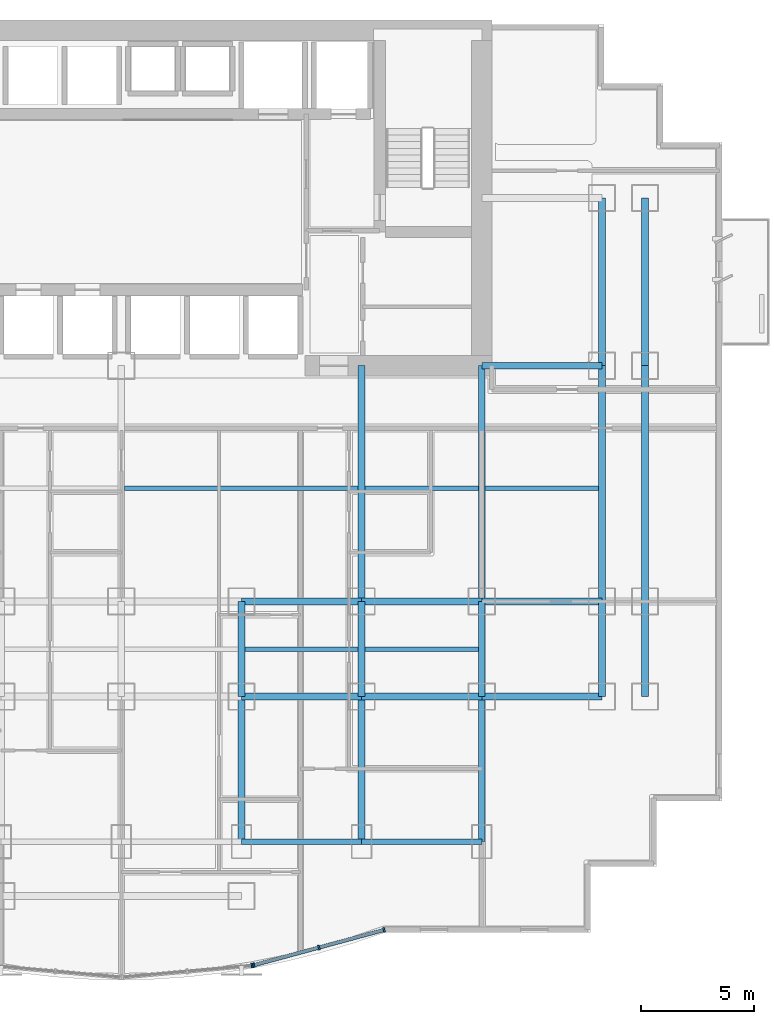
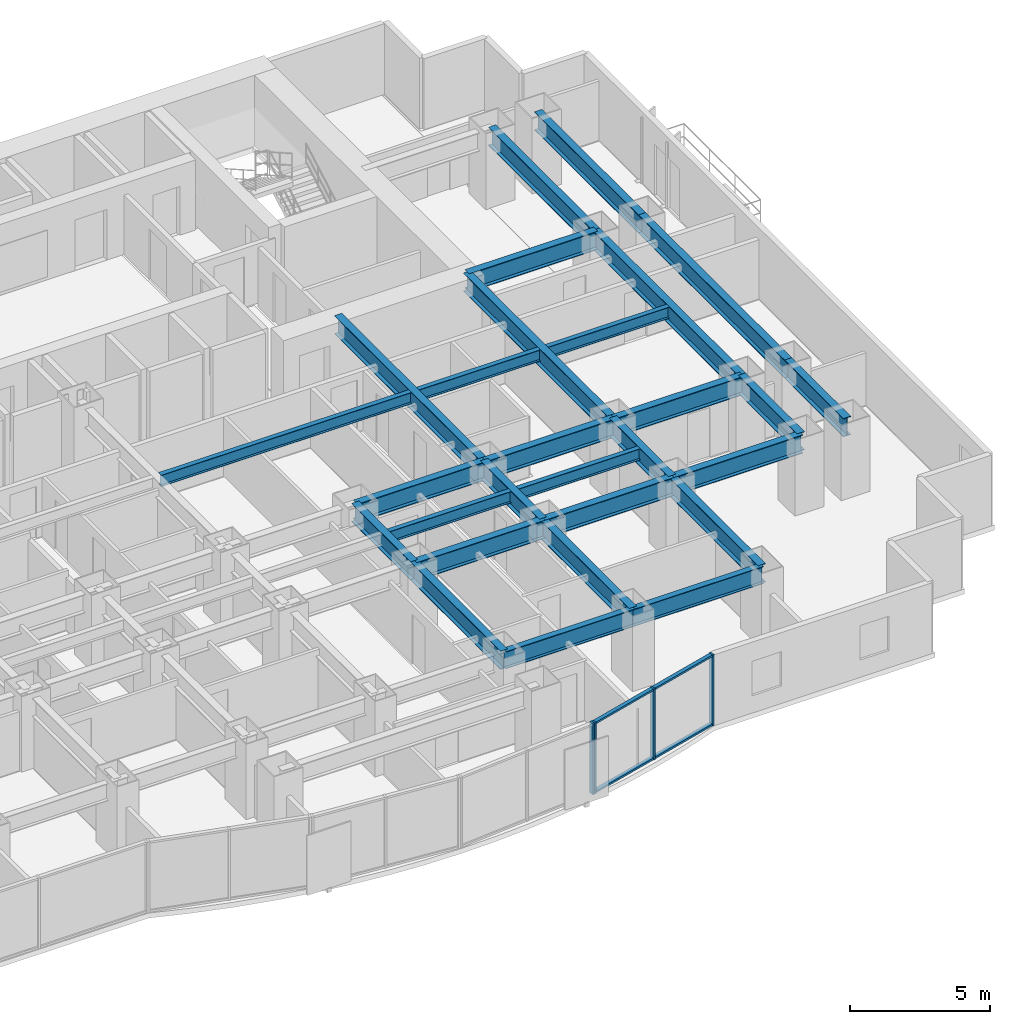
# One storey, part 3 of 10: 28 beams, 8 members, 2 elements without a shape of their own.
"""IFC4 building model written with IfcOpenShell, lengths in metres."""

from ifc_helpers import new_model, si_unit, direction, frame, origin, origin_2d, place, context, subcontext, project, spatial, rectangle, i_section, extrude, source, transform, mapped, material, layer, layer_set, material_profile, profile_set, type_object, element, aggregate, save


model = new_model("IFC4")

# Units and contexts
model_context = context("Model", 3, precision=1e-05, world=origin(), true_north=direction((0.0, 1.0)))
body_context = subcontext(model_context, "Body", "Model", "MODEL_VIEW")
ifc_project = project(units=[si_unit("LENGTHUNIT", "METRE"), si_unit("AREAUNIT", "SQUARE_METRE"), si_unit("VOLUMEUNIT", "CUBIC_METRE"), si_unit("PLANEANGLEUNIT", "RADIAN"), si_unit("MASSUNIT", "GRAM", prefix="KILO")], contexts=[model_context])

# Site, building, storey
site_placement = place(None, origin())
site = spatial("IfcSite", under=ifc_project, at=site_placement, CompositionType="ELEMENT")
building_placement = place(site_placement, origin())
building = spatial("IfcBuilding", under=site, at=building_placement, Name="Qianlan Lanfeng Residences", CompositionType="ELEMENT")
storey_placement = place(building_placement, frame((0.0, 0.0, 37.39990234375)))
storey = spatial("IfcBuildingStorey", under=building, at=storey_placement, Name="L09", CompositionType="ELEMENT", Elevation=37.39990234375)

# Beams
ifc_material_1 = material(Name="Steel SN490B", Category="steel")
ifc_material_profile_1 = material_profile(ifc_material_1, i_section(OverallWidth=0.300048828125, OverallDepth=0.800048828125, WebThickness=0.01611328125, FlangeThickness=0.028076171875, at=origin_2d()), Name="H 800x300x16x28")
ifc_profile_set_1 = profile_set([ifc_material_profile_1], Name="Steel SN490B")
beam_type_1 = type_object("IfcBeamType", Name="G-950", PredefinedType="BEAM", material=ifc_profile_set_1)
beam_1_placement = place(storey_placement, frame((31.800048828125, 10.60009765625, 2.68017578125), z_axis=(1.0, 0.0, 0.0), x_axis=(0.0, 1.0, 0.0)))
element("IfcBeam", 1, at=beam_1_placement, inside=storey, type_object=beam_type_1, Name="Structural beam G-950", PredefinedType="BEAM", context=body_context, shape_type="SweptSolid", body=[
    extrude(i_section(OverallWidth=0.300048828125, OverallDepth=0.800048828125, WebThickness=0.01611328125, FlangeThickness=0.028076171875, at=origin_2d()), origin(), (0.0, 0.0, 1.0), 5.300048828125),
])
beam_2_placement = place(storey_placement, frame((37.10009765625, 10.60009765625, 2.68017578125), z_axis=(1.0, 0.0, 0.0), x_axis=(0.0, 1.0, 0.0)))
element("IfcBeam", 2, at=beam_2_placement, inside=storey, type_object=beam_type_1, Name="Structural beam G-950", PredefinedType="BEAM", context=body_context, shape_type="SweptSolid", body=[
    extrude(i_section(OverallWidth=0.300048828125, OverallDepth=0.800048828125, WebThickness=0.01611328125, FlangeThickness=0.028076171875, at=origin_2d()), origin(), (0.0, 0.0, 1.0), 5.2998046875),
])
for number, where, z_axis, x_axis, name in (
    (3, (42.39990234375, 10.60009765625, 2.68017578125), (1.0, 0.0, 0.0), (0.0, 1.0, 0.0), "Structural beam G-950"),
    (4, (31.800048828125, 14.800048828125, 2.68017578125), (1.0, 0.0, 0.0), (0.0, 1.0, 0.0), "Structural beam G-950"),
):
    element("IfcBeam", number, at=place(storey_placement, frame(where, z_axis=z_axis, x_axis=x_axis)), inside=storey, type_object=beam_type_1, Name=name, PredefinedType="BEAM", context=body_context, shape_type="SweptSolid", body=[
        extrude(i_section(OverallWidth=0.300048828125, OverallDepth=0.800048828125, WebThickness=0.01611328125, FlangeThickness=0.028076171875, at=origin_2d()), origin(), (0.0, 0.0, 1.0), 5.300048828125),
    ])
beam_3_placement = place(storey_placement, frame((37.10009765625, 14.800048828125, 2.68017578125), z_axis=(1.0, 0.0, 0.0), x_axis=(0.0, 1.0, 0.0)))
element("IfcBeam", 5, at=beam_3_placement, inside=storey, type_object=beam_type_1, Name="Structural beam G-950", PredefinedType="BEAM", context=body_context, shape_type="SweptSolid", body=[
    extrude(i_section(OverallWidth=0.300048828125, OverallDepth=0.800048828125, WebThickness=0.01611328125, FlangeThickness=0.028076171875, at=origin_2d()), origin(), (0.0, 0.0, 1.0), 5.2998046875),
])
for number, where, z_axis, x_axis, name in (
    (6, (42.39990234375, 14.800048828125, 2.68017578125), (1.0, 0.0, 0.0), (0.0, 1.0, 0.0), "Structural beam G-950"),
    (7, (42.39990234375, 25.199951171875, 2.68017578125), (1.0, 0.0, 0.0), (0.0, 1.0, 0.0), "Structural beam G-950"),
):
    element("IfcBeam", number, at=place(storey_placement, frame(where, z_axis=z_axis, x_axis=x_axis)), inside=storey, type_object=beam_type_1, Name=name, PredefinedType="BEAM", context=body_context, shape_type="SweptSolid", body=[
        extrude(i_section(OverallWidth=0.300048828125, OverallDepth=0.800048828125, WebThickness=0.01611328125, FlangeThickness=0.028076171875, at=origin_2d()), origin(), (0.0, 0.0, 1.0), 5.300048828125),
    ])
beam_4_placement = place(storey_placement, frame((31.800048828125, 4.199951171875, 2.68017578125), z_axis=(0.0, 1.0, 0.0), x_axis=(-1.0, 0.0, 0.0)))
element("IfcBeam", 8, at=beam_4_placement, inside=storey, type_object=beam_type_1, Name="Structural beam G-950", PredefinedType="BEAM", context=body_context, shape_type="SweptSolid", body=[
    extrude(i_section(OverallWidth=0.300048828125, OverallDepth=0.800048828125, WebThickness=0.01611328125, FlangeThickness=0.028076171875, at=origin_2d()), origin(), (0.0, 0.0, 1.0), 6.400146484375),
])
beam_5_placement = place(storey_placement, frame((31.800048828125, 10.60009765625, 2.68017578125), z_axis=(0.0, 1.0, 0.0), x_axis=(-1.0, 0.0, 0.0)))
element("IfcBeam", 9, at=beam_5_placement, inside=storey, type_object=beam_type_1, Name="Structural beam G-950", PredefinedType="BEAM", context=body_context, shape_type="SweptSolid", body=[
    extrude(i_section(OverallWidth=0.300048828125, OverallDepth=0.800048828125, WebThickness=0.01611328125, FlangeThickness=0.028076171875, at=origin_2d()), origin(), (0.0, 0.0, 1.0), 4.199951171875),
])
beam_6_placement = place(storey_placement, frame((37.10009765625, 4.199951171875, 2.68017578125), z_axis=(0.0, 1.0, 0.0), x_axis=(-1.0, 0.0, 0.0)))
element("IfcBeam", 10, at=beam_6_placement, inside=storey, type_object=beam_type_1, Name="Structural beam G-950", PredefinedType="BEAM", context=body_context, shape_type="SweptSolid", body=[
    extrude(i_section(OverallWidth=0.300048828125, OverallDepth=0.800048828125, WebThickness=0.01611328125, FlangeThickness=0.028076171875, at=origin_2d()), origin(), (0.0, 0.0, 1.0), 6.400146484375),
])
beam_7_placement = place(storey_placement, frame((37.10009765625, 10.60009765625, 2.68017578125), z_axis=(0.0, 1.0, 0.0), x_axis=(-1.0, 0.0, 0.0)))
element("IfcBeam", 11, at=beam_7_placement, inside=storey, type_object=beam_type_1, Name="Structural beam G-950", PredefinedType="BEAM", context=body_context, shape_type="SweptSolid", body=[
    extrude(i_section(OverallWidth=0.300048828125, OverallDepth=0.800048828125, WebThickness=0.01611328125, FlangeThickness=0.028076171875, at=origin_2d()), origin(), (0.0, 0.0, 1.0), 4.199951171875),
])
beam_8_placement = place(storey_placement, frame((37.10009765625, 14.800048828125, 2.68017578125), z_axis=(0.0, 1.0, 0.0), x_axis=(-1.0, 0.0, 0.0)))
element("IfcBeam", 12, at=beam_8_placement, inside=storey, type_object=beam_type_1, Name="Structural beam G-950", PredefinedType="BEAM", context=body_context, shape_type="SweptSolid", body=[
    extrude(i_section(OverallWidth=0.300048828125, OverallDepth=0.800048828125, WebThickness=0.01611328125, FlangeThickness=0.028076171875, at=origin_2d()), origin(), (0.0, 0.0, 1.0), 10.39990234375),
])
beam_9_placement = place(storey_placement, frame((42.39990234375, 4.199951171875, 2.68017578125), z_axis=(0.0, 1.0, 0.0), x_axis=(-1.0, 0.0, 0.0)))
element("IfcBeam", 13, at=beam_9_placement, inside=storey, type_object=beam_type_1, Name="Structural beam G-950", PredefinedType="BEAM", context=body_context, shape_type="SweptSolid", body=[
    extrude(i_section(OverallWidth=0.300048828125, OverallDepth=0.800048828125, WebThickness=0.01611328125, FlangeThickness=0.028076171875, at=origin_2d()), origin(), (0.0, 0.0, 1.0), 6.400146484375),
])
beam_10_placement = place(storey_placement, frame((42.39990234375, 10.60009765625, 2.68017578125), z_axis=(0.0, 1.0, 0.0), x_axis=(-1.0, 0.0, 0.0)))
element("IfcBeam", 14, at=beam_10_placement, inside=storey, type_object=beam_type_1, Name="Structural beam G-950", PredefinedType="BEAM", context=body_context, shape_type="SweptSolid", body=[
    extrude(i_section(OverallWidth=0.300048828125, OverallDepth=0.800048828125, WebThickness=0.01611328125, FlangeThickness=0.028076171875, at=origin_2d()), origin(), (0.0, 0.0, 1.0), 4.199951171875),
])
beam_11_placement = place(storey_placement, frame((42.39990234375, 14.800048828125, 2.68017578125), z_axis=(0.0, 1.0, 0.0), x_axis=(-1.0, 0.0, 0.0)))
element("IfcBeam", 15, at=beam_11_placement, inside=storey, type_object=beam_type_1, Name="Structural beam G-950", PredefinedType="BEAM", context=body_context, shape_type="SweptSolid", body=[
    extrude(i_section(OverallWidth=0.300048828125, OverallDepth=0.800048828125, WebThickness=0.01611328125, FlangeThickness=0.028076171875, at=origin_2d()), origin(), (0.0, 0.0, 1.0), 10.39990234375),
])
beam_12_placement = place(storey_placement, frame((47.699951171875, 10.60009765625, 2.68017578125), z_axis=(0.0, 1.0, 0.0), x_axis=(-1.0, 0.0, 0.0)))
element("IfcBeam", 16, at=beam_12_placement, inside=storey, type_object=beam_type_1, Name="Structural beam G-950", PredefinedType="BEAM", context=body_context, shape_type="SweptSolid", body=[
    extrude(i_section(OverallWidth=0.300048828125, OverallDepth=0.800048828125, WebThickness=0.01611328125, FlangeThickness=0.028076171875, at=origin_2d()), origin(), (0.0, 0.0, 1.0), 4.199951171875),
])
beam_13_placement = place(storey_placement, frame((47.699951171875, 14.800048828125, 2.68017578125), z_axis=(0.0, 1.0, 0.0), x_axis=(-1.0, 0.0, 0.0)))
element("IfcBeam", 17, at=beam_13_placement, inside=storey, type_object=beam_type_1, Name="Structural beam G-950", PredefinedType="BEAM", context=body_context, shape_type="SweptSolid", body=[
    extrude(i_section(OverallWidth=0.300048828125, OverallDepth=0.800048828125, WebThickness=0.01611328125, FlangeThickness=0.028076171875, at=origin_2d()), origin(), (0.0, 0.0, 1.0), 10.39990234375),
])
beam_14_placement = place(storey_placement, frame((47.699951171875, 25.199951171875, 2.68017578125), z_axis=(0.0, 1.0, 0.0), x_axis=(-1.0, 0.0, 0.0)))
element("IfcBeam", 18, at=beam_14_placement, inside=storey, type_object=beam_type_1, Name="Structural beam G-950", PredefinedType="BEAM", context=body_context, shape_type="SweptSolid", body=[
    extrude(i_section(OverallWidth=0.300048828125, OverallDepth=0.800048828125, WebThickness=0.01611328125, FlangeThickness=0.028076171875, at=origin_2d()), origin(), (0.0, 0.0, 1.0), 7.400146484375),
])
beam_15_placement = place(storey_placement, frame((49.60009765625, 10.60009765625, 2.68017578125), z_axis=(0.0, 1.0, 0.0), x_axis=(-1.0, 0.0, 0.0)))
element("IfcBeam", 19, at=beam_15_placement, inside=storey, type_object=beam_type_1, Name="Structural beam G-950", PredefinedType="BEAM", context=body_context, shape_type="SweptSolid", body=[
    extrude(i_section(OverallWidth=0.300048828125, OverallDepth=0.800048828125, WebThickness=0.01611328125, FlangeThickness=0.028076171875, at=origin_2d()), origin(), (0.0, 0.0, 1.0), 4.199951171875),
])
beam_16_placement = place(storey_placement, frame((49.60009765625, 14.800048828125, 2.68017578125), z_axis=(0.0, 1.0, 0.0), x_axis=(-1.0, 0.0, 0.0)))
element("IfcBeam", 20, at=beam_16_placement, inside=storey, type_object=beam_type_1, Name="Structural beam G-950", PredefinedType="BEAM", context=body_context, shape_type="SweptSolid", body=[
    extrude(i_section(OverallWidth=0.300048828125, OverallDepth=0.800048828125, WebThickness=0.01611328125, FlangeThickness=0.028076171875, at=origin_2d()), origin(), (0.0, 0.0, 1.0), 10.39990234375),
])
beam_17_placement = place(storey_placement, frame((49.60009765625, 25.199951171875, 2.68017578125), z_axis=(0.0, 1.0, 0.0), x_axis=(-1.0, 0.0, 0.0)))
element("IfcBeam", 21, at=beam_17_placement, inside=storey, type_object=beam_type_1, Name="Structural beam G-950", PredefinedType="BEAM", context=body_context, shape_type="SweptSolid", body=[
    extrude(i_section(OverallWidth=0.300048828125, OverallDepth=0.800048828125, WebThickness=0.01611328125, FlangeThickness=0.028076171875, at=origin_2d()), origin(), (0.0, 0.0, 1.0), 7.400146484375),
])
ifc_material_profile_2 = material_profile(ifc_material_1, i_section(OverallWidth=0.199951171875, OverallDepth=0.5, WebThickness=0.010009765625, FlangeThickness=0.01611328125, at=origin_2d()), Name="H 500x200x10x16")
ifc_profile_set_2 = profile_set([ifc_material_profile_2], Name="Steel SN490B")
beam_type_2 = type_object("IfcBeamType", Name="J-500", PredefinedType="JOIST", material=ifc_profile_set_2)
for number, where, z_axis, x_axis, name in (
    (22, (31.949951171875, 12.699951171875, 2.830078125), (1.0, 0.0, 0.0), (0.0, 1.0, 0.0), "Structural beam J-500"),
    (23, (37.25, 12.699951171875, 2.830078125), (1.0, 0.0, 0.0), (0.0, 1.0, 0.0), "Structural beam J-500"),
):
    element("IfcBeam", number, at=place(storey_placement, frame(where, z_axis=z_axis, x_axis=x_axis)), inside=storey, type_object=beam_type_2, Name=name, PredefinedType="JOIST", context=body_context, shape_type="SweptSolid", body=[
        extrude(i_section(OverallWidth=0.199951171875, OverallDepth=0.5, WebThickness=0.010009765625, FlangeThickness=0.01611328125, at=origin_2d()), origin(), (0.0, 0.0, 1.0), 5.0),
    ])
beam_18_placement = place(storey_placement, frame((26.64990234375, 19.800048828125, 2.830078125), z_axis=(1.0, 0.0, 0.0), x_axis=(0.0, 1.0, 0.0)))
element("IfcBeam", 24, at=beam_18_placement, inside=storey, type_object=beam_type_2, Name="Structural beam J-500", PredefinedType="JOIST", context=body_context, shape_type="SweptSolid", body=[
    extrude(i_section(OverallWidth=0.199951171875, OverallDepth=0.5, WebThickness=0.010009765625, FlangeThickness=0.01611328125, at=origin_2d()), origin(), (0.0, 0.0, 1.0), 10.300048828125),
])
for number, where, z_axis, x_axis, name in (
    (25, (37.25, 19.800048828125, 2.830078125), (1.0, 0.0, 0.0), (0.0, 1.0, 0.0), "Structural beam J-500"),
    (26, (42.550048828125, 19.800048828125, 2.830078125), (1.0, 0.0, 0.0), (0.0, 1.0, 0.0), "Structural beam J-500"),
):
    element("IfcBeam", number, at=place(storey_placement, frame(where, z_axis=z_axis, x_axis=x_axis)), inside=storey, type_object=beam_type_2, Name=name, PredefinedType="JOIST", context=body_context, shape_type="SweptSolid", body=[
        extrude(i_section(OverallWidth=0.199951171875, OverallDepth=0.5, WebThickness=0.010009765625, FlangeThickness=0.01611328125, at=origin_2d()), origin(), (0.0, 0.0, 1.0), 5.0),
    ])
ifc_material_profile_3 = material_profile(ifc_material_1, i_section(OverallWidth=0.25, OverallDepth=0.75, WebThickness=0.013916015625, FlangeThickness=0.02490234375, at=origin_2d()), Name="H 750x250x14x25")
ifc_profile_set_3 = profile_set([ifc_material_profile_3], Name="Steel SN490B")
beam_type_3 = type_object("IfcBeamType", Name="SG-850", PredefinedType="SPANDREL", material=ifc_profile_set_3)
beam_19_placement = place(storey_placement, frame((31.800048828125, 4.199951171875, 2.705078125), z_axis=(1.0, 0.0, 0.0), x_axis=(0.0, 1.0, 0.0)))
element("IfcBeam", 27, at=beam_19_placement, inside=storey, type_object=beam_type_3, Name="Structural beam SG-850", PredefinedType="SPANDREL", context=body_context, shape_type="SweptSolid", body=[
    extrude(i_section(OverallWidth=0.25, OverallDepth=0.75, WebThickness=0.013916015625, FlangeThickness=0.02490234375, at=origin_2d()), origin(), (0.0, 0.0, 1.0), 5.300048828125),
])
beam_20_placement = place(storey_placement, frame((37.10009765625, 4.199951171875, 2.705078125), z_axis=(1.0, 0.0, 0.0), x_axis=(0.0, 1.0, 0.0)))
element("IfcBeam", 28, at=beam_20_placement, inside=storey, type_object=beam_type_3, Name="Structural beam SG-850", PredefinedType="SPANDREL", context=body_context, shape_type="SweptSolid", body=[
    extrude(i_section(OverallWidth=0.25, OverallDepth=0.75, WebThickness=0.013916015625, FlangeThickness=0.02490234375, at=origin_2d()), origin(), (0.0, 0.0, 1.0), 5.2998046875),
])

# Curtain wall, member
ifc_material_2 = material(Name="Anodised Bronze Aluminium 6063-T6", Category="aluminium")
ifc_layer = layer(ifc_material_2, 0.219970703125)
ifc_layer_set = layer_set([ifc_layer], Name="Anodised Bronze Aluminium 6063-T6")
curtain_wall_type = type_object("IfcCurtainWallType", Name="CW-02", PredefinedType="NOTDEFINED", material=ifc_layer_set)
curtain_wall_1_placement = place(storey_placement, origin())
curtain_wall_1 = element("IfcCurtainWall", 29, at=curtain_wall_1_placement, inside=storey, type_object=curtain_wall_type, Name="L09 Unitised Curtain Wall CWR-L09-04 (CW-02)", PredefinedType="NOTDEFINED")
ifc_material_profile_4 = material_profile(ifc_material_2, rectangle(XDim=0.080078125, YDim=0.2099609375, at=origin_2d()), Name="ALU MULLION 80x210")
ifc_profile_set_4 = profile_set([ifc_material_profile_4], Name="Anodised Bronze Aluminium 6063-T6")
member_type_1 = type_object("IfcMemberType", Name="CWM-220", PredefinedType="MULLION", material=ifc_profile_set_4)
shared_shape_1 = source(origin(), body_context, "Body", "SweptSolid", [
    extrude(rectangle(XDim=0.080078125, YDim=0.2099609375, at=origin_2d()), origin(), (0.0, 0.0, 1.0), 3.080078125),
])
member_1_placement = place(storey_placement, frame((32.26416015625, -1.260498046875, 0.0), z_axis=(0.0, 0.0, 1.0), x_axis=(0.995964677764, 0.089746089862, 0.0)))
member_1 = element("IfcMember", 30, at=member_1_placement, type_object=member_type_1, Name="CWR-L09-04 Mullion 3", PredefinedType="MULLION", context=body_context, shape_type="MappedRepresentation", body=[
    mapped(shared_shape_1, transform((0.0, 0.0, 0.0), scale=1.0)),
])
aggregate(curtain_wall_1, [member_1])

# Curtain wall, members
curtain_wall_2_placement = place(storey_placement, origin())
curtain_wall_2 = element("IfcCurtainWall", 31, at=curtain_wall_2_placement, inside=storey, type_object=curtain_wall_type, Name="L09 Unitised Curtain Wall CWR-L09-05 (CW-02)", PredefinedType="NOTDEFINED")
member_2_placement = place(storey_placement, frame((32.342529296875, -1.24658203125, 0.0), z_axis=(0.0, 0.0, 1.0), x_axis=(0.9652627173, 0.261281240412, 0.0)))
member_2 = element("IfcMember", 32, at=member_2_placement, type_object=member_type_1, Name="CWR-L09-05 Mullion 1", PredefinedType="MULLION", context=body_context, shape_type="MappedRepresentation", body=[
    mapped(shared_shape_1, transform((0.0, 0.0, 0.0), scale=1.0)),
])
member_3_placement = place(storey_placement, frame((35.217041015625, -0.468505859375, 0.0), z_axis=(0.0, 0.0, 1.0), x_axis=(0.9652627173, 0.261281240412, 0.0)))
member_3 = element("IfcMember", 33, at=member_3_placement, type_object=member_type_1, Name="CWR-L09-05 Mullion 2", PredefinedType="MULLION", context=body_context, shape_type="MappedRepresentation", body=[
    mapped(shared_shape_1, transform((0.0, 0.0, 0.0), scale=1.0)),
])
member_4_placement = place(storey_placement, frame((38.09130859375, 0.3095703125, 0.0), z_axis=(0.0, 0.0, 1.0), x_axis=(0.9652627173, 0.261281240412, 0.0)))
member_4 = element("IfcMember", 34, at=member_4_placement, type_object=member_type_1, Name="CWR-L09-05 Mullion 3", PredefinedType="MULLION", context=body_context, shape_type="MappedRepresentation", body=[
    mapped(shared_shape_1, transform((0.0, 0.0, 0.0), scale=1.0)),
])
ifc_material_profile_5 = material_profile(ifc_material_2, rectangle(XDim=0.080078125, YDim=0.159912109375, at=origin_2d()), Name="ALU TRANSOM 80x160")
ifc_profile_set_5 = profile_set([ifc_material_profile_5], Name="Anodised Bronze Aluminium 6063-T6")
member_type_2 = type_object("IfcMemberType", Name="CWT-180", PredefinedType="USERDEFINED", material=ifc_profile_set_5)
shared_shape_2 = source(origin(), body_context, "Body", "SweptSolid", [
    extrude(rectangle(XDim=0.080078125, YDim=0.159912109375, at=origin_2d()), origin(), (0.0, 0.0, 1.0), 2.897705078125),
])
member_5_placement = place(storey_placement, frame((35.255615234375, -0.4580078125, 0.0400390625), z_axis=(0.965267548724, 0.261263390817, 0.0), x_axis=(0.0, 0.0, 1.0)))
member_5 = element("IfcMember", 35, at=member_5_placement, type_object=member_type_2, Name="CWR-L09-05 Transom 2-BOT", ObjectType="TRANSOM", PredefinedType="USERDEFINED", context=body_context, shape_type="MappedRepresentation", body=[
    mapped(shared_shape_2, transform((0.0, 0.0, 0.0), scale=1.0)),
])
member_6_placement = place(storey_placement, frame((35.255615234375, -0.4580078125, 3.0400390625), z_axis=(0.965267548724, 0.261263390817, 0.0), x_axis=(0.0, 0.0, 1.0)))
member_6 = element("IfcMember", 36, at=member_6_placement, type_object=member_type_2, Name="CWR-L09-05 Transom 2-TOP", ObjectType="TRANSOM", PredefinedType="USERDEFINED", context=body_context, shape_type="MappedRepresentation", body=[
    mapped(shared_shape_2, transform((0.0, 0.0, 0.0), scale=1.0)),
])
shared_shape_3 = source(origin(), body_context, "Body", "SweptSolid", [
    extrude(rectangle(XDim=0.080078125, YDim=0.159912109375, at=origin_2d()), origin(), (0.0, 0.0, 1.0), 2.89794921875),
])
member_7_placement = place(storey_placement, frame((32.381103515625, -1.236083984375, 0.0400390625), z_axis=(0.965273298897, 0.261242145215, 0.0), x_axis=(0.0, 0.0, 1.0)))
member_7 = element("IfcMember", 37, at=member_7_placement, type_object=member_type_2, Name="CWR-L09-05 Transom 1-BOT", ObjectType="TRANSOM", PredefinedType="USERDEFINED", context=body_context, shape_type="MappedRepresentation", body=[
    mapped(shared_shape_3, transform((0.0, 0.0, 0.0), scale=1.0)),
])
member_8_placement = place(storey_placement, frame((32.381103515625, -1.236083984375, 3.0400390625), z_axis=(0.965273298897, 0.261242145215, 0.0), x_axis=(0.0, 0.0, 1.0)))
member_8 = element("IfcMember", 38, at=member_8_placement, type_object=member_type_2, Name="CWR-L09-05 Transom 1-TOP", ObjectType="TRANSOM", PredefinedType="USERDEFINED", context=body_context, shape_type="MappedRepresentation", body=[
    mapped(shared_shape_3, transform((0.0, 0.0, 0.0), scale=1.0)),
])
aggregate(curtain_wall_2, [member_2, member_3, member_4, member_7, member_8, member_5, member_6])

save(model, "model.ifc")
